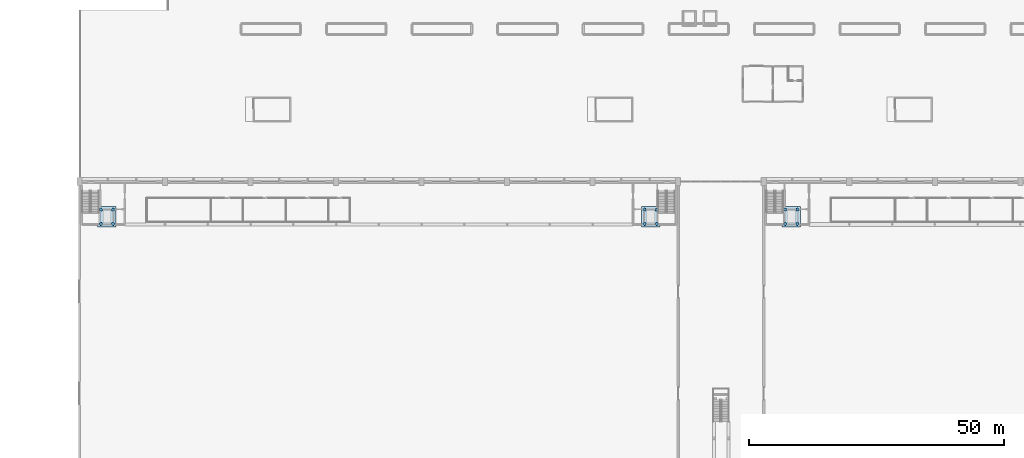
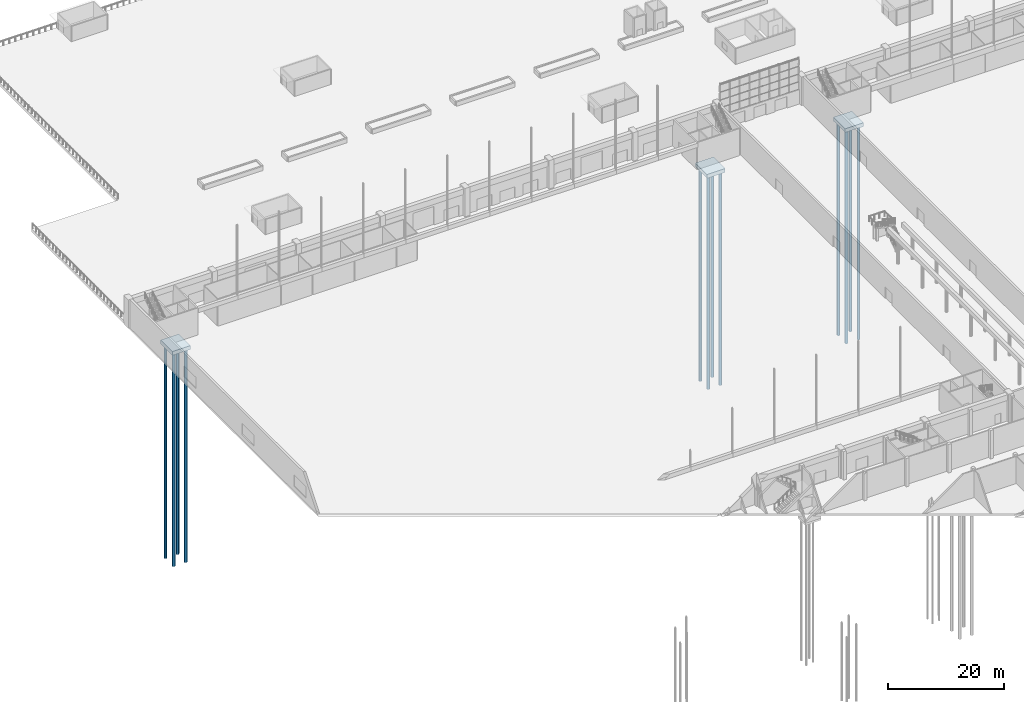
# One storey, part 3 of 210: 12 piles, 3 footings.
"""IFC4 building model written with IfcOpenShell, lengths in metres."""

from ifc_helpers import new_model, si_unit, direction, frame, origin, origin_2d, place, context, subcontext, project, spatial, polyline, circle, outline, extrude, material, material_profile, profile_set, type_object, element, save


model = new_model("IFC4")

# Units and contexts
model_context = context("Model", 3, precision=1e-05, world=origin(), true_north=direction((0.0, 1.0)))
body_context = subcontext(model_context, "Body", "Model", "MODEL_VIEW")
ifc_project = project(units=[si_unit("LENGTHUNIT", "METRE"), si_unit("AREAUNIT", "SQUARE_METRE"), si_unit("VOLUMEUNIT", "CUBIC_METRE"), si_unit("PLANEANGLEUNIT", "RADIAN"), si_unit("MASSUNIT", "GRAM", prefix="KILO")], contexts=[model_context])

# Site, building, storey
site_placement = place(None, origin())
site = spatial("IfcSite", under=ifc_project, at=site_placement, CompositionType="ELEMENT")
building_placement = place(site_placement, origin())
building = spatial("IfcBuilding", under=site, at=building_placement, Name="Rain Tree Exposition and Congress Centre", CompositionType="ELEMENT")
storey_placement = place(building_placement, origin())
storey = spatial("IfcBuildingStorey", under=building, at=storey_placement, Name="L00", CompositionType="ELEMENT", Elevation=0.0)

# Piles
ifc_material_1 = material(Name="Concrete C35/45", Category="concrete")
ifc_material_profile = material_profile(ifc_material_1, circle(Radius=0.300048828125, at=origin_2d()), Name="D600")
ifc_profile_set = profile_set([ifc_material_profile], Name="Concrete C35/45")
pile_type = type_object("IfcPileType", Name="Lift pit bored pile D600", PredefinedType="BORED", material=ifc_profile_set)
for number, where, z_axis, x_axis, name in (
    (1, (12.60009765625, 193.300048828125, -2.199951171875), (0.0, 0.0, -1.0), (1.0, 0.0, 0.0), "Lift pit pile 3.1"),
    (2, (12.60009765625, 196.10009765625, -2.199951171875), (0.0, 0.0, -1.0), (1.0, 0.0, 0.0), "Lift pit pile 3.2"),
    (3, (15.0, 193.300048828125, -2.199951171875), (0.0, 0.0, -1.0), (1.0, 0.0, 0.0), "Lift pit pile 3.3"),
    (4, (15.0, 196.10009765625, -2.199951171875), (0.0, 0.0, -1.0), (1.0, 0.0, 0.0), "Lift pit pile 3.4"),
    (5, (119.39990234375, 193.300048828125, -2.199951171875), (0.0, 0.0, -1.0), (1.0, 0.0, 0.0), "Lift pit pile 4.1"),
    (6, (119.39990234375, 196.10009765625, -2.199951171875), (0.0, 0.0, -1.0), (1.0, 0.0, 0.0), "Lift pit pile 4.2"),
    (7, (121.800048828125, 193.300048828125, -2.199951171875), (0.0, 0.0, -1.0), (1.0, 0.0, 0.0), "Lift pit pile 4.3"),
    (8, (121.800048828125, 196.10009765625, -2.199951171875), (0.0, 0.0, -1.0), (1.0, 0.0, 0.0), "Lift pit pile 4.4"),
    (9, (147.0, 193.300048828125, -2.199951171875), (0.0, 0.0, -1.0), (1.0, 0.0, 0.0), "Lift pit pile 7.1"),
    (10, (147.0, 196.10009765625, -2.199951171875), (0.0, 0.0, -1.0), (1.0, 0.0, 0.0), "Lift pit pile 7.2"),
    (11, (149.39990234375, 193.300048828125, -2.199951171875), (0.0, 0.0, -1.0), (1.0, 0.0, 0.0), "Lift pit pile 7.3"),
    (12, (149.39990234375, 196.10009765625, -2.199951171875), (0.0, 0.0, -1.0), (1.0, 0.0, 0.0), "Lift pit pile 7.4"),
):
    element("IfcPile", number, at=place(storey_placement, frame(where, z_axis=z_axis, x_axis=x_axis)), inside=storey, type_object=pile_type, Name=name, PredefinedType="BORED", context=body_context, shape_type="SweptSolid", body=[
        extrude(circle(Radius=0.300048828125, at=origin_2d()), origin(), (0.0, 0.0, 1.0), 45.0),
    ])

# Footings
ifc_material_2 = material(Name="Concrete C35/45", Category="concrete")
footing_type = type_object("IfcFootingType", Name="Lift pit raft cap 800 thick", PredefinedType="PILE_CAP", material=ifc_material_2)
footing_1_placement = place(storey_placement, frame((0.0, 0.0, -2.199951171875)))
element("IfcFooting", 13, at=footing_1_placement, inside=storey, type_object=footing_type, Name="Lift pit raft cap 3", PredefinedType="PILE_CAP", context=body_context, shape_type="SweptSolid", body=[
    extrude(outline(polyline([(11.97509765625, 192.675048828125), (15.625, 192.675048828125), (15.625, 196.72509765625), (11.97509765625, 196.72509765625), (11.97509765625, 192.675048828125)])), origin(), (0.0, 0.0, 1.0), 0.800048828125),
])
footing_2_placement = place(storey_placement, frame((0.0, 0.0, -2.199951171875)))
element("IfcFooting", 14, at=footing_2_placement, inside=storey, type_object=footing_type, Name="Lift pit raft cap 4", PredefinedType="PILE_CAP", context=body_context, shape_type="SweptSolid", body=[
    extrude(outline(polyline([(118.77490234375, 192.675048828125), (122.425048828125, 192.675048828125), (122.425048828125, 196.72509765625), (118.77490234375, 196.72509765625), (118.77490234375, 192.675048828125)])), origin(), (0.0, 0.0, 1.0), 0.800048828125),
])
footing_3_placement = place(storey_placement, frame((0.0, 0.0, -2.199951171875)))
element("IfcFooting", 15, at=footing_3_placement, inside=storey, type_object=footing_type, Name="Lift pit raft cap 7", PredefinedType="PILE_CAP", context=body_context, shape_type="SweptSolid", body=[
    extrude(outline(polyline([(146.375, 192.675048828125), (150.02490234375, 192.675048828125), (150.02490234375, 196.72509765625), (146.375, 196.72509765625), (146.375, 192.675048828125)])), origin(), (0.0, 0.0, 1.0), 0.800048828125),
])

save(model, "model.ifc")
